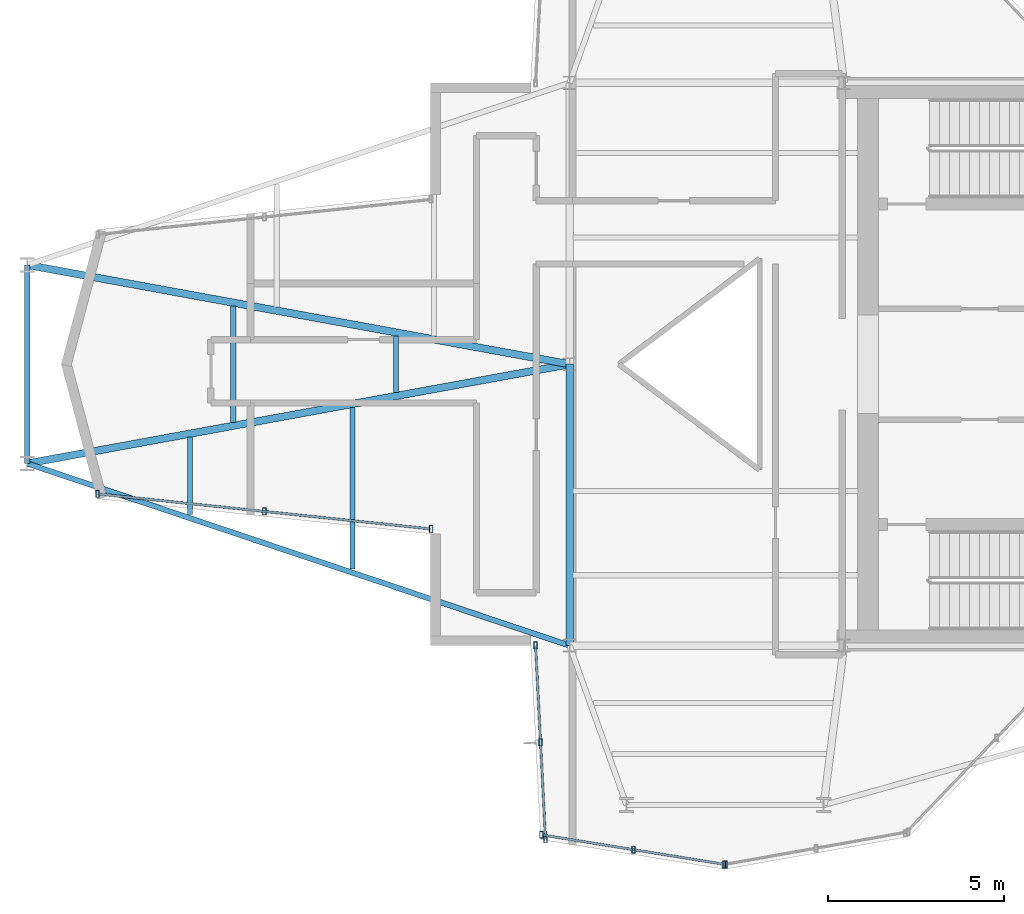
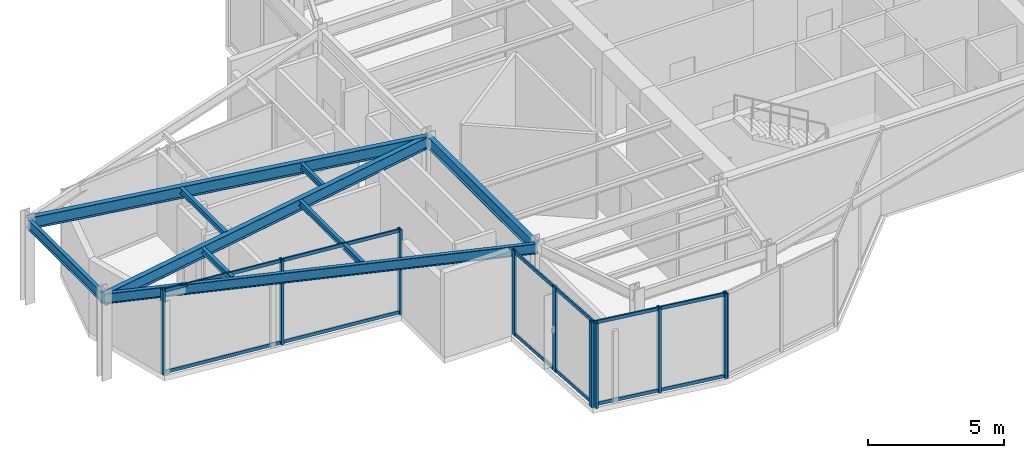
# One storey, part 2 of 13: 16 members, 9 beams, 4 elements without a shape of their own.
"""IFC4 building model written with IfcOpenShell, lengths in metres."""

from ifc_helpers import new_model, si_unit, direction, frame, origin, origin_2d, place, context, subcontext, project, spatial, hollow_rectangle, i_section, extrude, material, layer, layer_set, material_profile, profile_set, type_object, element, aggregate, save


model = new_model("IFC4")

# Units and contexts
model_context = context("Model", 3, precision=1e-05, world=origin(), true_north=direction((0.0, 1.0)))
body_context = subcontext(model_context, "Body", "Model", "MODEL_VIEW")
ifc_project = project(units=[si_unit("LENGTHUNIT", "METRE"), si_unit("AREAUNIT", "SQUARE_METRE"), si_unit("VOLUMEUNIT", "CUBIC_METRE"), si_unit("PLANEANGLEUNIT", "RADIAN"), si_unit("MASSUNIT", "GRAM", prefix="KILO")], contexts=[model_context])

# Site, building, storey
site_placement = place(None, origin())
site = spatial("IfcSite", under=ifc_project, at=site_placement, CompositionType="ELEMENT")
building_placement = place(site_placement, origin())
building = spatial("IfcBuilding", under=site, at=building_placement, Name="Veymaron Broadcast Tower", CompositionType="ELEMENT")
storey_placement = place(building_placement, frame((0.0, 0.0, 291.14990234375)))
storey = spatial("IfcBuildingStorey", under=building, at=storey_placement, Name="L68", CompositionType="ELEMENT", Elevation=291.14990234375)

# Beams
ifc_material_1 = material(Name="Structural steel ASTM A992 Gr 50", Category="steel")
ifc_material_profile_1 = material_profile(ifc_material_1, i_section(OverallWidth=0.208984375, OverallDepth=0.528076171875, WebThickness=0.009521484375, FlangeThickness=0.01318359375, at=origin_2d()), Name="W530X82")
ifc_profile_set_1 = profile_set([ifc_material_profile_1], Name="Structural steel ASTM A992 Gr 50")
beam_type_1 = type_object("IfcBeamType", Name="BM-FG4", PredefinedType="BEAM", material=ifc_profile_set_1)
beam_1_placement = place(storey_placement, frame((31.199951171875, 16.0, 3.546142578125), z_axis=(0.0, 1.0, 0.0), x_axis=(-1.0, 0.0, 0.0)))
element("IfcBeam", 1, at=beam_1_placement, inside=storey, type_object=beam_type_1, Name="L68 primary structural floor girder", PredefinedType="BEAM", context=body_context, shape_type="SweptSolid", body=[
    extrude(i_section(OverallWidth=0.208984375, OverallDepth=0.528076171875, WebThickness=0.009521484375, FlangeThickness=0.01318359375, at=origin_2d()), origin(), (0.0, 0.0, 1.0), 8.0),
])
for number, where, z_axis, x_axis, name in (
    (2, (15.7763671875, 21.177978515625, 3.546142578125), (0.983670246921, 0.179980124799, 0.0), (-0.179980124799, 0.983670246921, 0.0), "L68 primary structural floor girder"),
    (3, (15.7763671875, 26.822021484375, 3.546142578125), (0.983670246921, -0.179980124799, 0.0), (0.179980124799, 0.983670246921, 0.0), "L68 primary structural floor girder"),
):
    element("IfcBeam", number, at=place(storey_placement, frame(where, z_axis=z_axis, x_axis=x_axis)), inside=storey, type_object=beam_type_1, Name=name, PredefinedType="BEAM", context=body_context, shape_type="SweptSolid", body=[
        extrude(i_section(OverallWidth=0.208984375, OverallDepth=0.528076171875, WebThickness=0.009521484375, FlangeThickness=0.01318359375, at=origin_2d()), origin(), (0.0, 0.0, 1.0), 15.6796875),
    ])
ifc_material_profile_2 = material_profile(ifc_material_1, i_section(OverallWidth=0.14599609375, OverallDepth=0.258056640625, WebThickness=0.006103515625, FlangeThickness=0.009033203125, at=origin_2d()), Name="W250X33")
ifc_profile_set_2 = profile_set([ifc_material_profile_2], Name="Structural steel ASTM A992 Gr 50")
beam_type_2 = type_object("IfcBeamType", Name="BM-JS4", PredefinedType="JOIST", material=ifc_profile_set_2)
beam_2_placement = place(storey_placement, frame((20.403564453125, 19.724609375, 3.68115234375), z_axis=(0.0, 1.0, 0.0), x_axis=(-1.0, 0.0, 0.0)))
element("IfcBeam", 4, at=beam_2_placement, inside=storey, type_object=beam_type_2, Name="L68 Arm-A secondary joist 1S", PredefinedType="JOIST", context=body_context, shape_type="SweptSolid", body=[
    extrude(i_section(OverallWidth=0.14599609375, OverallDepth=0.258056640625, WebThickness=0.006103515625, FlangeThickness=0.009033203125, at=origin_2d()), origin(), (0.0, 0.0, 1.0), 2.199951171875),
])
beam_3_placement = place(storey_placement, frame((21.637451171875, 22.350341796875, 3.68115234375), z_axis=(0.0, 1.0, 0.0), x_axis=(-1.0, 0.0, 0.0)))
element("IfcBeam", 5, at=beam_3_placement, inside=storey, type_object=beam_type_2, Name="L68 Arm-A secondary joist 1M", PredefinedType="JOIST", context=body_context, shape_type="SweptSolid", body=[
    extrude(i_section(OverallWidth=0.14599609375, OverallDepth=0.258056640625, WebThickness=0.006103515625, FlangeThickness=0.009033203125, at=origin_2d()), origin(), (0.0, 0.0, 1.0), 3.29931640625),
])
beam_4_placement = place(storey_placement, frame((25.030517578125, 18.171142578125, 3.68115234375), z_axis=(0.0, 1.0, 0.0), x_axis=(-1.0, 0.0, 0.0)))
element("IfcBeam", 6, at=beam_4_placement, inside=storey, type_object=beam_type_2, Name="L68 Arm-A secondary joist 2S", PredefinedType="JOIST", context=body_context, shape_type="SweptSolid", body=[
    extrude(i_section(OverallWidth=0.14599609375, OverallDepth=0.258056640625, WebThickness=0.006103515625, FlangeThickness=0.009033203125, at=origin_2d()), origin(), (0.0, 0.0, 1.0), 4.60009765625),
])
beam_5_placement = place(storey_placement, frame((26.264404296875, 23.197021484375, 3.68115234375), z_axis=(0.0, 1.0, 0.0), x_axis=(-1.0, 0.0, 0.0)))
element("IfcBeam", 7, at=beam_5_placement, inside=storey, type_object=beam_type_2, Name="L68 Arm-A secondary joist 2M", PredefinedType="JOIST", context=body_context, shape_type="SweptSolid", body=[
    extrude(i_section(OverallWidth=0.14599609375, OverallDepth=0.258056640625, WebThickness=0.006103515625, FlangeThickness=0.009033203125, at=origin_2d()), origin(), (0.0, 0.0, 1.0), 1.60595703125),
])
ifc_material_profile_3 = material_profile(ifc_material_1, i_section(OverallWidth=0.154052734375, OverallDepth=0.458984375, WebThickness=0.009033203125, FlangeThickness=0.015380859375, at=origin_2d()), Name="W460X68")
ifc_profile_set_3 = profile_set([ifc_material_profile_3], Name="Structural steel ASTM A992 Gr 50")
beam_type_3 = type_object("IfcBeamType", Name="BM-SP2", PredefinedType="SPANDREL", material=ifc_profile_set_3)
beam_6_placement = place(storey_placement, frame((15.7763671875, 21.177978515625, 3.58056640625), z_axis=(0.948002845498, -0.318261849627, 0.0), x_axis=(0.318261849627, 0.948002845498, 0.0)))
element("IfcBeam", 8, at=beam_6_placement, inside=storey, type_object=beam_type_3, Name="L68 primary structural floor girder", PredefinedType="SPANDREL", context=body_context, shape_type="SweptSolid", body=[
    extrude(i_section(OverallWidth=0.154052734375, OverallDepth=0.458984375, WebThickness=0.009033203125, FlangeThickness=0.015380859375, at=origin_2d()), origin(), (0.0, 0.0, 1.0), 16.26953125),
])
beam_7_placement = place(storey_placement, frame((15.7763671875, 21.177978515625, 3.58056640625), z_axis=(0.0, 1.0, 0.0), x_axis=(-1.0, 0.0, 0.0)))
element("IfcBeam", 9, at=beam_7_placement, inside=storey, type_object=beam_type_3, Name="L68 primary structural floor girder", PredefinedType="SPANDREL", context=body_context, shape_type="SweptSolid", body=[
    extrude(i_section(OverallWidth=0.154052734375, OverallDepth=0.458984375, WebThickness=0.009033203125, FlangeThickness=0.015380859375, at=origin_2d()), origin(), (0.0, 0.0, 1.0), 5.64404296875),
])

# Curtain wall, members
ifc_material_2 = material(Name="Anodised aluminium AA 6063-T6 and laminated low-E dark glass", Category="aluminium")
ifc_layer = layer(ifc_material_2, 0.179931640625)
ifc_layer_set = layer_set([ifc_layer], Name="Anodised aluminium AA 6063-T6 and laminated low-E dark glass")
curtain_wall_type = type_object("IfcCurtainWallType", Name="CW-SYS-06", PredefinedType="NOTDEFINED", material=ifc_layer_set)
curtain_wall_1_placement = place(storey_placement, origin())
curtain_wall_1 = element("IfcCurtainWall", 10, at=curtain_wall_1_placement, inside=storey, type_object=curtain_wall_type, Name="L68 dark-glass curtain wall CW-L68-E14-1", PredefinedType="NOTDEFINED")
ifc_material_3 = material(Name="Anodised aluminium AA 6063-T6", Category="aluminium")
ifc_material_profile_4 = material_profile(ifc_material_3, hollow_rectangle(XDim=0.10009765625, YDim=0.199951171875, WallThickness=0.010009765625, at=origin_2d()), Name="RHS200X100X10")
ifc_profile_set_4 = profile_set([ifc_material_profile_4], Name="Anodised aluminium AA 6063-T6")
member_type_1 = type_object("IfcMemberType", Name="CW-MUL-01", PredefinedType="MULLION", material=ifc_profile_set_4)
member_1_placement = place(storey_placement, frame((17.774658203125, 20.31396484375, 0.0), z_axis=(0.0, 0.0, 1.0), x_axis=(1.0, 0.0, 0.0)))
member_1 = element("IfcMember", 11, at=member_1_placement, type_object=member_type_1, Name="CW-L68-E14-1 mullion 0", PredefinedType="MULLION", context=body_context, shape_type="SweptSolid", body=[
    extrude(hollow_rectangle(XDim=0.10009765625, YDim=0.199951171875, WallThickness=0.010009765625, at=origin_2d()), origin(), (0.0, 0.0, 1.0), 3.81005859375),
])
member_2_placement = place(storey_placement, frame((22.519287109375, 19.81494140625, 0.0), z_axis=(0.0, 0.0, 1.0), x_axis=(1.0, 0.0, 0.0)))
member_2 = element("IfcMember", 12, at=member_2_placement, type_object=member_type_1, Name="CW-L68-E14-1 mullion 1", PredefinedType="MULLION", context=body_context, shape_type="SweptSolid", body=[
    extrude(hollow_rectangle(XDim=0.10009765625, YDim=0.199951171875, WallThickness=0.010009765625, at=origin_2d()), origin(), (0.0, 0.0, 1.0), 3.81005859375),
])
member_3_placement = place(storey_placement, frame((27.26416015625, 19.316162109375, 0.0), z_axis=(0.0, 0.0, 1.0), x_axis=(1.0, 0.0, 0.0)))
member_3 = element("IfcMember", 13, at=member_3_placement, type_object=member_type_1, Name="CW-L68-E14-1 mullion 2", PredefinedType="MULLION", context=body_context, shape_type="SweptSolid", body=[
    extrude(hollow_rectangle(XDim=0.10009765625, YDim=0.199951171875, WallThickness=0.010009765625, at=origin_2d()), origin(), (0.0, 0.0, 1.0), 3.81005859375),
])

curtain_wall_2_placement = place(storey_placement, origin())
curtain_wall_2 = element("IfcCurtainWall", 14, at=curtain_wall_2_placement, inside=storey, type_object=curtain_wall_type, Name="L68 dark-glass curtain wall CW-L68-E17-1", PredefinedType="NOTDEFINED")
member_4_placement = place(storey_placement, frame((30.23046875, 16.007080078125, 0.0), z_axis=(0.0, 0.0, 1.0), x_axis=(1.0, 0.0, 0.0)))
member_4 = element("IfcMember", 15, at=member_4_placement, type_object=member_type_1, Name="CW-L68-E17-1 mullion 0", PredefinedType="MULLION", context=body_context, shape_type="SweptSolid", body=[
    extrude(hollow_rectangle(XDim=0.10009765625, YDim=0.199951171875, WallThickness=0.010009765625, at=origin_2d()), origin(), (0.0, 0.0, 1.0), 3.81005859375),
])
member_5_placement = place(storey_placement, frame((30.372314453125, 13.24853515625, 0.0), z_axis=(0.0, 0.0, 1.0), x_axis=(1.0, 0.0, 0.0)))
member_5 = element("IfcMember", 16, at=member_5_placement, type_object=member_type_1, Name="CW-L68-E17-1 mullion 1", PredefinedType="MULLION", context=body_context, shape_type="SweptSolid", body=[
    extrude(hollow_rectangle(XDim=0.10009765625, YDim=0.199951171875, WallThickness=0.010009765625, at=origin_2d()), origin(), (0.0, 0.0, 1.0), 3.81005859375),
])
member_6_placement = place(storey_placement, frame((30.514404296875, 10.489990234375, 0.0), z_axis=(0.0, 0.0, 1.0), x_axis=(1.0, 0.0, 0.0)))
member_6 = element("IfcMember", 17, at=member_6_placement, type_object=member_type_1, Name="CW-L68-E17-1 mullion 2", PredefinedType="MULLION", context=body_context, shape_type="SweptSolid", body=[
    extrude(hollow_rectangle(XDim=0.10009765625, YDim=0.199951171875, WallThickness=0.010009765625, at=origin_2d()), origin(), (0.0, 0.0, 1.0), 3.81005859375),
])

curtain_wall_3_placement = place(storey_placement, origin())
curtain_wall_3 = element("IfcCurtainWall", 18, at=curtain_wall_3_placement, inside=storey, type_object=curtain_wall_type, Name="L68 dark-glass curtain wall CW-L68-E18-1", PredefinedType="NOTDEFINED")
member_7_placement = place(storey_placement, frame((30.396728515625, 10.62109375, 0.0), z_axis=(0.0, 0.0, 1.0), x_axis=(1.0, 0.0, 0.0)))
member_7 = element("IfcMember", 19, at=member_7_placement, type_object=member_type_1, Name="CW-L68-E18-1 mullion 0", PredefinedType="MULLION", context=body_context, shape_type="SweptSolid", body=[
    extrude(hollow_rectangle(XDim=0.10009765625, YDim=0.199951171875, WallThickness=0.010009765625, at=origin_2d()), origin(), (0.0, 0.0, 1.0), 3.81005859375),
])
member_8_placement = place(storey_placement, frame((33.01416015625, 10.198974609375, 0.0), z_axis=(0.0, 0.0, 1.0), x_axis=(1.0, 0.0, 0.0)))
member_8 = element("IfcMember", 20, at=member_8_placement, type_object=member_type_1, Name="CW-L68-E18-1 mullion 1", PredefinedType="MULLION", context=body_context, shape_type="SweptSolid", body=[
    extrude(hollow_rectangle(XDim=0.10009765625, YDim=0.199951171875, WallThickness=0.010009765625, at=origin_2d()), origin(), (0.0, 0.0, 1.0), 3.81005859375),
])
member_9_placement = place(storey_placement, frame((35.631591796875, 9.777099609375, 0.0), z_axis=(0.0, 0.0, 1.0), x_axis=(1.0, 0.0, 0.0)))
member_9 = element("IfcMember", 21, at=member_9_placement, type_object=member_type_1, Name="CW-L68-E18-1 mullion 2", PredefinedType="MULLION", context=body_context, shape_type="SweptSolid", body=[
    extrude(hollow_rectangle(XDim=0.10009765625, YDim=0.199951171875, WallThickness=0.010009765625, at=origin_2d()), origin(), (0.0, 0.0, 1.0), 3.81005859375),
])

# Curtain wall, member
curtain_wall_4_placement = place(storey_placement, origin())
curtain_wall_4 = element("IfcCurtainWall", 22, at=curtain_wall_4_placement, inside=storey, type_object=curtain_wall_type, Name="L68 dark-glass curtain wall CW-L68-E19-1", PredefinedType="NOTDEFINED")
member_10_placement = place(storey_placement, frame((35.584716796875, 9.776611328125, 0.0), z_axis=(0.0, 0.0, 1.0), x_axis=(1.0, 0.0, 0.0)))
member_10 = element("IfcMember", 23, at=member_10_placement, type_object=member_type_1, Name="CW-L68-E19-1 mullion 0", PredefinedType="MULLION", context=body_context, shape_type="SweptSolid", body=[
    extrude(hollow_rectangle(XDim=0.10009765625, YDim=0.199951171875, WallThickness=0.010009765625, at=origin_2d()), origin(), (0.0, 0.0, 1.0), 3.81005859375),
])
aggregate(curtain_wall_4, [member_10])

# Member
ifc_material_profile_5 = material_profile(ifc_material_3, hollow_rectangle(XDim=0.06494140625, YDim=0.14990234375, WallThickness=0.00390625, at=origin_2d()), Name="AL150X65X4")
ifc_profile_set_5 = profile_set([ifc_material_profile_5], Name="Anodised aluminium AA 6063-T6")
member_type_2 = type_object("IfcMemberType", Name="CW-TRN-01", PredefinedType="USERDEFINED", material=ifc_profile_set_5)
member_11_placement = place(storey_placement, frame((17.82421875, 20.30859375, 0.070068359375), z_axis=(0.99451819669, -0.104563647854, 0.0), x_axis=(0.104563647854, 0.99451819669, 0.0)))
member_11 = element("IfcMember", 24, at=member_11_placement, type_object=member_type_2, Name="CW-L68-E14-1 transom B", ObjectType="TRANSOM", PredefinedType="USERDEFINED", context=body_context, shape_type="SweptSolid", body=[
    extrude(hollow_rectangle(XDim=0.06494140625, YDim=0.14990234375, WallThickness=0.00390625, at=origin_2d()), origin(), (0.0, 0.0, 1.0), 9.442138671875),
])

member_12_placement = place(storey_placement, frame((17.82421875, 20.30859375, 3.739990234375), z_axis=(0.99451819669, -0.104563647854, 0.0), x_axis=(0.104563647854, 0.99451819669, 0.0)))
member_12 = element("IfcMember", 25, at=member_12_placement, type_object=member_type_2, Name="CW-L68-E14-1 transom T", ObjectType="TRANSOM", PredefinedType="USERDEFINED", context=body_context, shape_type="SweptSolid", body=[
    extrude(hollow_rectangle(XDim=0.06494140625, YDim=0.14990234375, WallThickness=0.00390625, at=origin_2d()), origin(), (0.0, 0.0, 1.0), 9.442138671875),
])

aggregate(curtain_wall_1, [member_1, member_2, member_3, member_11, member_12])

member_13_placement = place(storey_placement, frame((30.233154296875, 15.957275390625, 0.070068359375), z_axis=(0.051351716948, -0.998680630215, 0.0), x_axis=(0.998680630215, 0.051351716948, 0.0)))
member_13 = element("IfcMember", 26, at=member_13_placement, type_object=member_type_2, Name="CW-L68-E17-1 transom B", ObjectType="TRANSOM", PredefinedType="USERDEFINED", context=body_context, shape_type="SweptSolid", body=[
    extrude(hollow_rectangle(XDim=0.06494140625, YDim=0.14990234375, WallThickness=0.00390625, at=origin_2d()), origin(), (0.0, 0.0, 1.0), 5.424560546875),
])

member_14_placement = place(storey_placement, frame((30.233154296875, 15.957275390625, 3.739990234375), z_axis=(0.051351716948, -0.998680630215, 0.0), x_axis=(0.998680630215, 0.051351716948, 0.0)))
member_14 = element("IfcMember", 27, at=member_14_placement, type_object=member_type_2, Name="CW-L68-E17-1 transom T", ObjectType="TRANSOM", PredefinedType="USERDEFINED", context=body_context, shape_type="SweptSolid", body=[
    extrude(hollow_rectangle(XDim=0.06494140625, YDim=0.14990234375, WallThickness=0.00390625, at=origin_2d()), origin(), (0.0, 0.0, 1.0), 5.424560546875),
])

aggregate(curtain_wall_2, [member_4, member_5, member_6, member_13, member_14])

member_15_placement = place(storey_placement, frame((30.4462890625, 10.613037109375, 0.070068359375), z_axis=(0.987247783528, -0.15919112387, 0.0), x_axis=(0.15919112387, 0.987247783528, 0.0)))
member_15 = element("IfcMember", 28, at=member_15_placement, type_object=member_type_2, Name="CW-L68-E18-1 transom B", ObjectType="TRANSOM", PredefinedType="USERDEFINED", context=body_context, shape_type="SweptSolid", body=[
    extrude(hollow_rectangle(XDim=0.06494140625, YDim=0.14990234375, WallThickness=0.00390625, at=origin_2d()), origin(), (0.0, 0.0, 1.0), 5.2021484375),
])

member_16_placement = place(storey_placement, frame((30.4462890625, 10.613037109375, 3.739990234375), z_axis=(0.987247783528, -0.15919112387, 0.0), x_axis=(0.15919112387, 0.987247783528, 0.0)))
member_16 = element("IfcMember", 29, at=member_16_placement, type_object=member_type_2, Name="CW-L68-E18-1 transom T", ObjectType="TRANSOM", PredefinedType="USERDEFINED", context=body_context, shape_type="SweptSolid", body=[
    extrude(hollow_rectangle(XDim=0.06494140625, YDim=0.14990234375, WallThickness=0.00390625, at=origin_2d()), origin(), (0.0, 0.0, 1.0), 5.2021484375),
])

aggregate(curtain_wall_3, [member_7, member_8, member_9, member_15, member_16])

save(model, "model.ifc")
